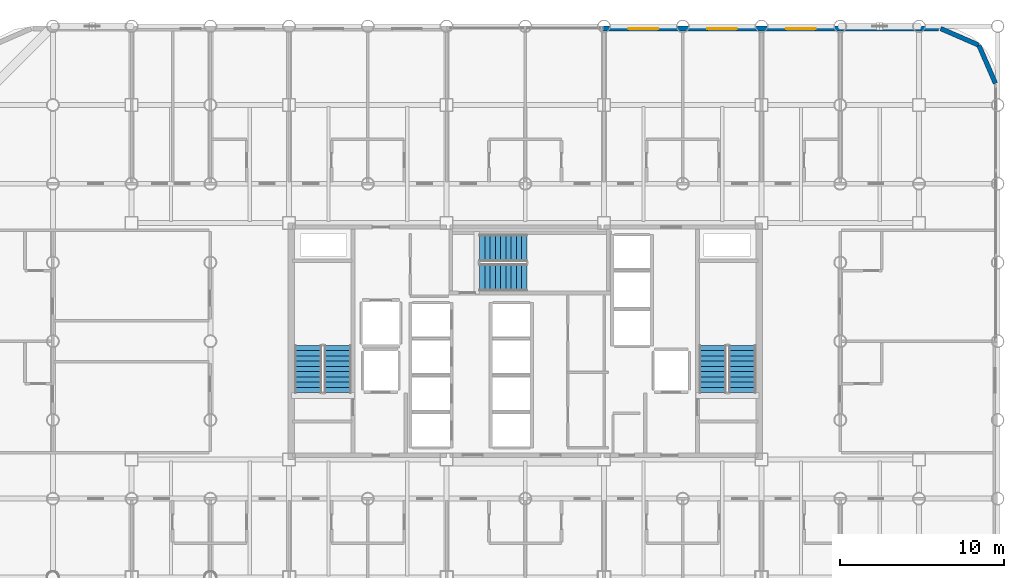
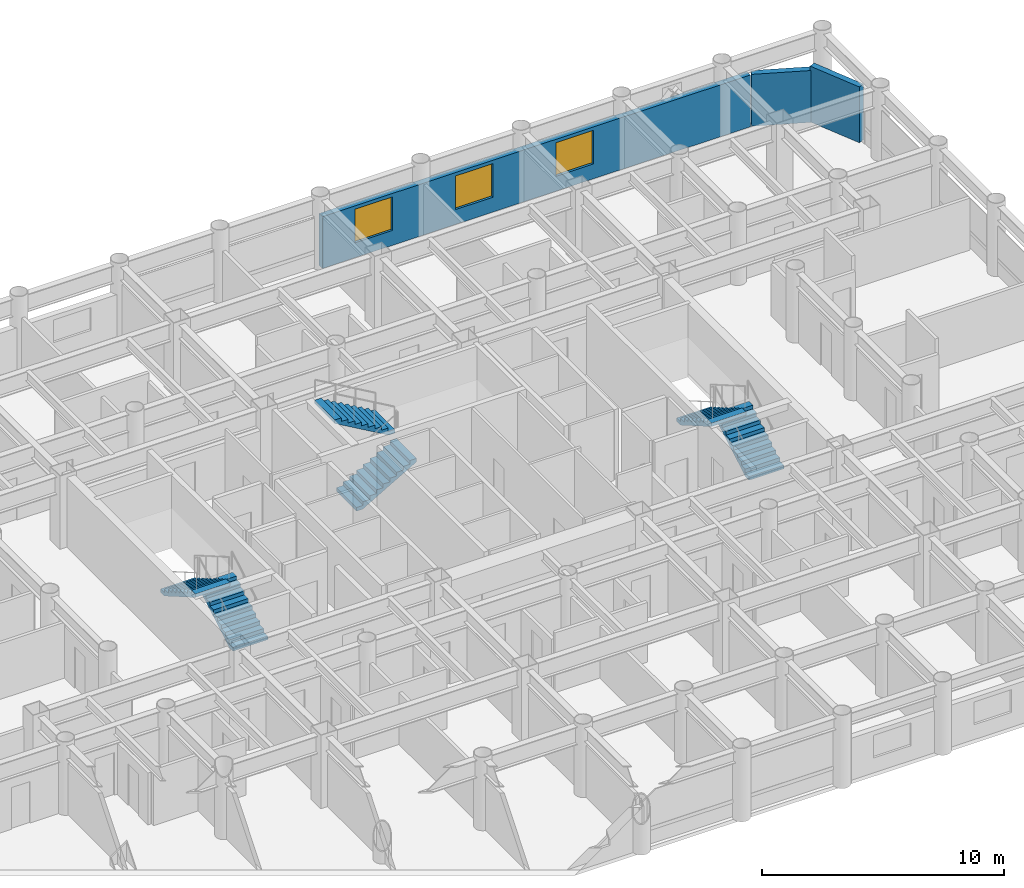
# One storey, part 21 of 22: 6 stair flights, 3 walls, 3 windows, 3 openings, 3 elements without a shape of their own.
"""IFC4 building model written with IfcOpenShell, lengths in metres."""

from ifc_helpers import new_model, si_unit, direction, frame, frame_2d, origin, place, context, subcontext, project, spatial, polyline, rectangle, outline, extrude, material, layer, layer_set, type_object, element, fill, aggregate, save


model = new_model("IFC4")

# Units and contexts
model_context = context("Model", 3, precision=1e-05, world=origin(), true_north=direction((0.0, 1.0)))
body_context = subcontext(model_context, "Body", "Model", "MODEL_VIEW")
ifc_project = project(units=[si_unit("LENGTHUNIT", "METRE"), si_unit("AREAUNIT", "SQUARE_METRE"), si_unit("VOLUMEUNIT", "CUBIC_METRE"), si_unit("PLANEANGLEUNIT", "RADIAN"), si_unit("MASSUNIT", "GRAM", prefix="KILO")], contexts=[model_context])

# Site, building, storey
site_placement = place(None, origin())
site = spatial("IfcSite", under=ifc_project, at=site_placement, CompositionType="ELEMENT")
building_placement = place(site_placement, origin())
building = spatial("IfcBuilding", under=site, at=building_placement, Name="Kallvorn Hotel Tower", CompositionType="ELEMENT")
storey_placement = place(building_placement, frame((0.0, 0.0, 37.39990234375)))
storey = spatial("IfcBuildingStorey", under=building, at=storey_placement, Name="L07", CompositionType="ELEMENT", Elevation=37.39990234375)

# Walls
ifc_material_1 = material(Name="Precast basalt-clad insulated concrete wall C40/50", Category="masonry")
ifc_layer = layer(ifc_material_1, 0.280029296875)
ifc_layer_set = layer_set([ifc_layer], Name="WL_EXT_LOGGIA_280")
wall_type = type_object("IfcWallType", Name="WL_EXT_LOGGIA_280", PredefinedType="SOLIDWALL", material=ifc_layer_set)
wall_1_placement = place(storey_placement, frame((28.657958984375, 15.720703125, 0.0), z_axis=(0.0, 0.0, 1.0), x_axis=(-0.398792985289, 0.917040977756, 0.0)))
element("IfcWall", 1, at=wall_1_placement, inside=storey, type_object=wall_type, Name="L07 Rounded Corner Exterior Wall NE1", PredefinedType="SOLIDWALL", context=body_context, shape_type="SweptSolid", body=[
    extrude(rectangle(XDim=2.536376953125, YDim=0.280029296875, at=frame_2d((1.26806640625, 0.0))), origin(), (0.0, 0.0, 1.0), 2.820068359375),
])
wall_2_placement = place(storey_placement, frame((27.646484375, 18.046630859375, 0.0), z_axis=(0.0, 0.0, 1.0), x_axis=(-0.917060872934, 0.398747232384, 0.0)))
element("IfcWall", 2, at=wall_2_placement, inside=storey, type_object=wall_type, Name="L07 Rounded Corner Exterior Wall NE2", PredefinedType="SOLIDWALL", context=body_context, shape_type="SweptSolid", body=[
    extrude(rectangle(XDim=2.5361328125, YDim=0.280029296875, at=frame_2d((1.26806640625, 0.0))), origin(), (0.0, 0.0, 1.0), 2.6201171875),
])

# Wall, openings, windows
wall_3_placement = place(storey_placement, frame((4.75, 19.06005859375, 0.0), z_axis=(0.0, 0.0, 1.0), x_axis=(1.0, 0.0, 0.0)))
wall_3 = element("IfcWall", 3, at=wall_3_placement, inside=storey, type_object=wall_type, Name="L07 Exterior Envelope Wall EW-L07-NE", PredefinedType="SOLIDWALL", context=body_context, shape_type="SweptSolid", body=[
    extrude(rectangle(XDim=20.449951171875, YDim=0.280029296875, at=frame_2d((10.22509765625, 0.0))), origin(), (0.0, 0.0, 1.0), 2.6201171875),
])
opening_1_placement = place(wall_3_placement, frame((1.550048828125, 0.0, 0.75)))
opening_1 = element("IfcOpeningElement", 4, at=opening_1_placement, cuts=wall_3, Name="Opening W04", PredefinedType="OPENING", context=body_context, shape_type="SweptSolid", body=[
    extrude(rectangle(XDim=1.800048828125, YDim=1.699951171875, at=frame_2d((0.89990234375, 0.85009765625))), frame((0.0, 0.155029296875, 0.0), z_axis=(0.0, -1.0, 0.0), x_axis=(1.0, 0.0, 0.0)), (0.0, 0.0, 1.0), 0.31005859375),
])
opening_2_placement = place(wall_3_placement, frame((6.35009765625, 0.0, 0.75)))
opening_2 = element("IfcOpeningElement", 5, at=opening_2_placement, cuts=wall_3, Name="Opening W04", PredefinedType="OPENING", context=body_context, shape_type="SweptSolid", body=[
    extrude(rectangle(XDim=1.800048828125, YDim=1.699951171875, at=frame_2d((0.89990234375, 0.85009765625))), frame((0.0, 0.155029296875, 0.0), z_axis=(0.0, -1.0, 0.0), x_axis=(1.0, 0.0, 0.0)), (0.0, 0.0, 1.0), 0.31005859375),
])
opening_3_placement = place(wall_3_placement, frame((11.14990234375, 0.0, 0.75)))
opening_3 = element("IfcOpeningElement", 6, at=opening_3_placement, cuts=wall_3, Name="Opening W04", PredefinedType="OPENING", context=body_context, shape_type="SweptSolid", body=[
    extrude(rectangle(XDim=1.800048828125, YDim=1.699951171875, at=frame_2d((0.89990234375, 0.85009765625))), frame((0.0, 0.155029296875, 0.0), z_axis=(0.0, -1.0, 0.0), x_axis=(1.0, 0.0, 0.0)), (0.0, 0.0, 1.0), 0.31005859375),
])
ifc_material_2 = material(Name="Double-glazed low-e solar-control dark glass", Category="glass")
window_type = type_object("IfcWindowType", Name="WN_HTL_1800x1700", PartitioningType="SINGLE_PANEL", PredefinedType="WINDOW", material=ifc_material_2)
window_1_placement = place(opening_1_placement, origin())
window_1 = element("IfcWindow", 7, at=window_1_placement, inside=storey, type_object=window_type, Name="L07 Guestroom Exterior Window 14", OverallHeight=1.699951171875, OverallWidth=1.800048828125, PartitioningType="SINGLE_PANEL", PredefinedType="WINDOW", context=body_context, shape_type="SweptSolid", body=[
    extrude(rectangle(XDim=1.800048828125, YDim=1.699951171875, at=frame_2d((0.89990234375, 0.85009765625))), frame((0.0, 0.030029296875, 0.0), z_axis=(0.0, -1.0, 0.0), x_axis=(1.0, 0.0, 0.0)), (0.0, 0.0, 1.0), 0.06005859375),
])
fill(opening_1, window_1)
window_2_placement = place(opening_2_placement, origin())
window_2 = element("IfcWindow", 8, at=window_2_placement, inside=storey, type_object=window_type, Name="L07 Guestroom Exterior Window 15", OverallHeight=1.699951171875, OverallWidth=1.800048828125, PartitioningType="SINGLE_PANEL", PredefinedType="WINDOW", context=body_context, shape_type="SweptSolid", body=[
    extrude(rectangle(XDim=1.800048828125, YDim=1.699951171875, at=frame_2d((0.89990234375, 0.85009765625))), frame((0.0, 0.030029296875, 0.0), z_axis=(0.0, -1.0, 0.0), x_axis=(1.0, 0.0, 0.0)), (0.0, 0.0, 1.0), 0.06005859375),
])
fill(opening_2, window_2)
window_3_placement = place(opening_3_placement, origin())
window_3 = element("IfcWindow", 9, at=window_3_placement, inside=storey, type_object=window_type, Name="L07 Guestroom Exterior Window 16", OverallHeight=1.699951171875, OverallWidth=1.800048828125, PartitioningType="SINGLE_PANEL", PredefinedType="WINDOW", context=body_context, shape_type="SweptSolid", body=[
    extrude(rectangle(XDim=1.800048828125, YDim=1.699951171875, at=frame_2d((0.89990234375, 0.85009765625))), frame((0.0, 0.030029296875, 0.0), z_axis=(0.0, -1.0, 0.0), x_axis=(1.0, 0.0, 0.0)), (0.0, 0.0, 1.0), 0.06005859375),
])
fill(opening_3, window_3)

# Stair, stair flights
ifc_material_3 = material(Name="Precast concrete C40/50", Category="concrete")
stair_type = type_object("IfcStairType", Name="STR_CORE_DOGLEG", PredefinedType="HALF_TURN_STAIR", material=ifc_material_3)
stair_1_placement = place(storey_placement, origin())
stair_1 = element("IfcStair", 10, at=stair_1_placement, inside=storey, type_object=stair_type, Name="L07 Exit stair ST1", PredefinedType="HALF_TURN_STAIR")
ifc_material_4 = material(Name="Precast concrete C40/50", Category="concrete")
stair_flight_type = type_object("IfcStairFlightType", Name="FLT_CORE_1660", PredefinedType="STRAIGHT", material=ifc_material_4)
stair_flight_1_placement = place(storey_placement, frame((-11.429931640625, -3.139892578125, 0.0), z_axis=(0.0, 0.0, 1.0), x_axis=(0.0, 1.0, 0.0)))
stair_flight_1 = element("IfcStairFlight", 11, at=stair_flight_1_placement, type_object=stair_flight_type, Name="ST1 flight 1", NumberOfRisers=10, NumberOfTreads=9, PredefinedType="STRAIGHT", RiserHeight=0.185, TreadLength=0.32, context=body_context, shape_type="SweptSolid", body=[
    extrude(outline(polyline([(0.0, 0.0), (0.0, 0.18505859375), (0.320068359375, 0.18505859375), (0.320068359375, 0.3701171875), (0.639892578125, 0.3701171875), (0.639892578125, 0.554931640625), (0.9599609375, 0.554931640625), (0.9599609375, 0.739990234375), (1.280029296875, 0.739990234375), (1.280029296875, 0.925048828125), (1.60009765625, 0.925048828125), (1.60009765625, 1.110107421875), (1.919921875, 1.110107421875), (1.919921875, 1.294921875), (2.239990234375, 1.294921875), (2.239990234375, 1.47998046875), (2.56005859375, 1.47998046875), (2.56005859375, 1.6650390625), (2.8798828125, 1.6650390625), (2.8798828125, 1.85009765625), (2.8798828125, 1.491943359375), (0.299560546875, 0.0), (0.0, 0.0)])), frame((0.0, 0.830078125, 0.0), z_axis=(0.0, -1.0, 0.0), x_axis=(1.0, 0.0, 0.0)), (0.0, 0.0, 1.0), 1.659912109375),
])
stair_flight_2_placement = place(storey_placement, frame((-13.22998046875, -0.260009765625, 1.85009765625), z_axis=(0.0, 0.0, 1.0), x_axis=(0.0, -1.0, 0.0)))
stair_flight_2 = element("IfcStairFlight", 12, at=stair_flight_2_placement, type_object=stair_flight_type, Name="ST1 flight 2", NumberOfRisers=10, NumberOfTreads=9, PredefinedType="STRAIGHT", RiserHeight=0.185, TreadLength=0.32, context=body_context, shape_type="SweptSolid", body=[
    extrude(outline(polyline([(0.0, 0.0), (0.0, 0.18505859375), (0.320068359375, 0.18505859375), (0.320068359375, 0.3701171875), (0.639892578125, 0.3701171875), (0.639892578125, 0.554931640625), (0.9599609375, 0.554931640625), (0.9599609375, 0.739990234375), (1.280029296875, 0.739990234375), (1.280029296875, 0.925048828125), (1.60009765625, 0.925048828125), (1.60009765625, 1.110107421875), (1.919921875, 1.110107421875), (1.919921875, 1.294921875), (2.239990234375, 1.294921875), (2.239990234375, 1.47998046875), (2.56005859375, 1.47998046875), (2.56005859375, 1.6650390625), (2.8798828125, 1.6650390625), (2.8798828125, 1.85009765625), (2.8798828125, 1.491943359375), (0.299560546875, 0.0), (0.0, 0.0)])), frame((0.0, 0.830078125, 0.0), z_axis=(0.0, -1.0, 0.0), x_axis=(1.0, 0.0, 0.0)), (0.0, 0.0, 1.0), 1.659912109375),
])
aggregate(stair_1, [stair_flight_1, stair_flight_2])

stair_2_placement = place(storey_placement, origin())
stair_2 = element("IfcStair", 13, at=stair_2_placement, inside=storey, type_object=stair_type, Name="L07 Exit stair ST2", PredefinedType="HALF_TURN_STAIR")
stair_flight_3_placement = place(storey_placement, frame((13.22998046875, -3.139892578125, 0.0), z_axis=(0.0, 0.0, 1.0), x_axis=(0.0, 1.0, 0.0)))
stair_flight_3 = element("IfcStairFlight", 14, at=stair_flight_3_placement, type_object=stair_flight_type, Name="ST2 flight 1", NumberOfRisers=10, NumberOfTreads=9, PredefinedType="STRAIGHT", RiserHeight=0.185, TreadLength=0.32, context=body_context, shape_type="SweptSolid", body=[
    extrude(outline(polyline([(0.0, 0.0), (0.0, 0.18505859375), (0.320068359375, 0.18505859375), (0.320068359375, 0.3701171875), (0.639892578125, 0.3701171875), (0.639892578125, 0.554931640625), (0.9599609375, 0.554931640625), (0.9599609375, 0.739990234375), (1.280029296875, 0.739990234375), (1.280029296875, 0.925048828125), (1.60009765625, 0.925048828125), (1.60009765625, 1.110107421875), (1.919921875, 1.110107421875), (1.919921875, 1.294921875), (2.239990234375, 1.294921875), (2.239990234375, 1.47998046875), (2.56005859375, 1.47998046875), (2.56005859375, 1.6650390625), (2.8798828125, 1.6650390625), (2.8798828125, 1.85009765625), (2.8798828125, 1.491943359375), (0.299560546875, 0.0), (0.0, 0.0)])), frame((0.0, 0.830078125, 0.0), z_axis=(0.0, -1.0, 0.0), x_axis=(1.0, 0.0, 0.0)), (0.0, 0.0, 1.0), 1.659912109375),
])
stair_flight_4_placement = place(storey_placement, frame((11.429931640625, -0.260009765625, 1.85009765625), z_axis=(0.0, 0.0, 1.0), x_axis=(0.0, -1.0, 0.0)))
stair_flight_4 = element("IfcStairFlight", 15, at=stair_flight_4_placement, type_object=stair_flight_type, Name="ST2 flight 2", NumberOfRisers=10, NumberOfTreads=9, PredefinedType="STRAIGHT", RiserHeight=0.185, TreadLength=0.32, context=body_context, shape_type="SweptSolid", body=[
    extrude(outline(polyline([(0.0, 0.0), (0.0, 0.18505859375), (0.320068359375, 0.18505859375), (0.320068359375, 0.3701171875), (0.639892578125, 0.3701171875), (0.639892578125, 0.554931640625), (0.9599609375, 0.554931640625), (0.9599609375, 0.739990234375), (1.280029296875, 0.739990234375), (1.280029296875, 0.925048828125), (1.60009765625, 0.925048828125), (1.60009765625, 1.110107421875), (1.919921875, 1.110107421875), (1.919921875, 1.294921875), (2.239990234375, 1.294921875), (2.239990234375, 1.47998046875), (2.56005859375, 1.47998046875), (2.56005859375, 1.6650390625), (2.8798828125, 1.6650390625), (2.8798828125, 1.85009765625), (2.8798828125, 1.491943359375), (0.299560546875, 0.0), (0.0, 0.0)])), frame((0.0, 0.830078125, 0.0), z_axis=(0.0, -1.0, 0.0), x_axis=(1.0, 0.0, 0.0)), (0.0, 0.0, 1.0), 1.659912109375),
])
aggregate(stair_2, [stair_flight_3, stair_flight_4])

stair_3_placement = place(storey_placement, origin())
stair_3 = element("IfcStair", 16, at=stair_3_placement, inside=storey, type_object=stair_type, Name="L07 Exit stair ST3", PredefinedType="HALF_TURN_STAIR")
stair_flight_5_placement = place(storey_placement, frame((-2.7900390625, 3.8798828125, 0.0), z_axis=(0.0, 0.0, 1.0), x_axis=(1.0, 0.0, 0.0)))
stair_flight_5 = element("IfcStairFlight", 17, at=stair_flight_5_placement, type_object=stair_flight_type, Name="ST3 flight 1", NumberOfRisers=10, NumberOfTreads=9, PredefinedType="STRAIGHT", RiserHeight=0.185, TreadLength=0.32, context=body_context, shape_type="SweptSolid", body=[
    extrude(outline(polyline([(0.0, 0.0), (0.0, 0.18505859375), (0.320068359375, 0.18505859375), (0.320068359375, 0.3701171875), (0.639892578125, 0.3701171875), (0.639892578125, 0.554931640625), (0.9599609375, 0.554931640625), (0.9599609375, 0.739990234375), (1.280029296875, 0.739990234375), (1.280029296875, 0.925048828125), (1.60009765625, 0.925048828125), (1.60009765625, 1.110107421875), (1.919921875, 1.110107421875), (1.919921875, 1.294921875), (2.239990234375, 1.294921875), (2.239990234375, 1.47998046875), (2.56005859375, 1.47998046875), (2.56005859375, 1.6650390625), (2.8798828125, 1.6650390625), (2.8798828125, 1.85009765625), (2.8798828125, 1.491943359375), (0.299560546875, 0.0), (0.0, 0.0)])), frame((0.0, 0.830078125, 0.0), z_axis=(0.0, -1.0, 0.0), x_axis=(1.0, 0.0, 0.0)), (0.0, 0.0, 1.0), 1.659912109375),
])
stair_flight_6_placement = place(storey_placement, frame((0.090087890625, 5.679931640625, 1.85009765625), z_axis=(0.0, 0.0, 1.0), x_axis=(-1.0, 0.0, 0.0)))
stair_flight_6 = element("IfcStairFlight", 18, at=stair_flight_6_placement, type_object=stair_flight_type, Name="ST3 flight 2", NumberOfRisers=10, NumberOfTreads=9, PredefinedType="STRAIGHT", RiserHeight=0.185, TreadLength=0.32, context=body_context, shape_type="SweptSolid", body=[
    extrude(outline(polyline([(0.0, 0.0), (0.0, 0.18505859375), (0.320068359375, 0.18505859375), (0.320068359375, 0.3701171875), (0.639892578125, 0.3701171875), (0.639892578125, 0.554931640625), (0.9599609375, 0.554931640625), (0.9599609375, 0.739990234375), (1.280029296875, 0.739990234375), (1.280029296875, 0.925048828125), (1.60009765625, 0.925048828125), (1.60009765625, 1.110107421875), (1.919921875, 1.110107421875), (1.919921875, 1.294921875), (2.239990234375, 1.294921875), (2.239990234375, 1.47998046875), (2.56005859375, 1.47998046875), (2.56005859375, 1.6650390625), (2.8798828125, 1.6650390625), (2.8798828125, 1.85009765625), (2.8798828125, 1.491943359375), (0.299560546875, 0.0), (0.0, 0.0)])), frame((0.0, 0.830078125, 0.0), z_axis=(0.0, -1.0, 0.0), x_axis=(1.0, 0.0, 0.0)), (0.0, 0.0, 1.0), 1.659912109375),
])
aggregate(stair_3, [stair_flight_5, stair_flight_6])

save(model, "model.ifc")
